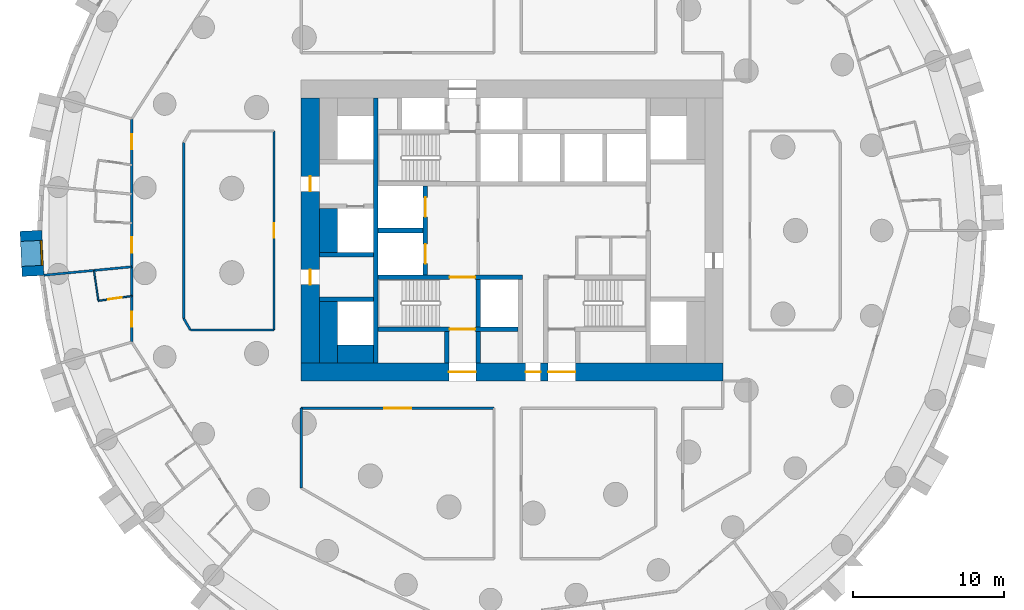
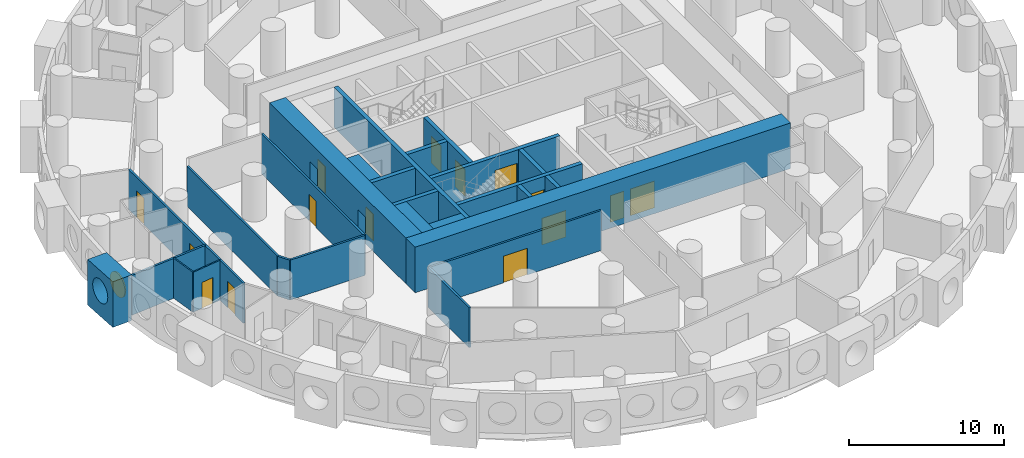
# One storey, part 4 of 12: 26 walls, 15 doors, 1 window, 16 openings.
"""IFC4 building model written with IfcOpenShell, lengths in metres."""

import ifcopenshell
import ifcopenshell.guid

model = None  # the IFC model being written
_history = None  # IfcOwnerHistory: only IFC2X3 demands one
_inside = {}  # id of a spatial element -> (the spatial element, [elements in it])
_under = {}  # id of a project, library or spatial element -> (it, [spatial elements below it])
_declared = {}  # id of a project -> (the project, [libraries it declares])
_typed = {}  # id of a type object -> (the type object, [elements of that type])
_made_of = {}  # id of a material, layer set ... -> (it, [elements and type objects made of it])


def new_model(schema):
    """Start an empty IFC model of exactly this schema.

    Asked for "IFC4X3", IfcOpenShell would pick the latest addendum, in which some entities
    have other attributes; the version numbers below select the first issue.
    IFC2X3 requires an IfcOwnerHistory on every rooted entity: one is made here for all.
    """
    global model, _history
    if schema == "IFC4X3":
        model = ifcopenshell.file(schema_version=(4, 3, 0, 0))
    else:
        model = ifcopenshell.file(schema=schema)
    _inside.clear()
    _under.clear()
    _declared.clear()
    _typed.clear()
    _made_of.clear()
    _history = None
    if model.schema == "IFC2X3":
        org = make("IfcOrganization", Name="unknown")
        user = make(
            "IfcPersonAndOrganization",
            ThePerson=make("IfcPerson", FamilyName="unknown"),
            TheOrganization=org,
        )
        app = make(
            "IfcApplication",
            ApplicationDeveloper=org,
            Version="unknown",
            ApplicationFullName="unknown",
            ApplicationIdentifier="unknown",
        )
        _history = make(
            "IfcOwnerHistory",
            OwningUser=user,
            OwningApplication=app,
            ChangeAction="ADDED",
            CreationDate=0,
        )
    return model


def make(cls, **values):
    """One entity of the class cls with the attributes given. An attribute that is None is left unset."""
    return model.create_entity(
        cls, **{name: value for name, value in values.items() if value is not None}
    )


def rooted(cls, **values):
    """An entity with a GlobalId (a new one), such as an element, a storey or a relation."""
    return make(cls, GlobalId=ifcopenshell.guid.new(), OwnerHistory=_history, **values)


def si_unit(unit_type, name, prefix=None):
    """IfcSIUnit, for example si_unit("LENGTHUNIT", "METRE", prefix="MILLI")."""
    return make("IfcSIUnit", UnitType=unit_type, Prefix=prefix, Name=name)


def assignment(units):
    """IfcUnitAssignment: the units of a project."""
    return None if units is None else make("IfcUnitAssignment", Units=units)


def point(xyz):
    """IfcCartesianPoint."""
    return None if xyz is None else make("IfcCartesianPoint", Coordinates=xyz)


def direction(xyz):
    """IfcDirection."""
    return None if xyz is None else make("IfcDirection", DirectionRatios=xyz)


def frame(location, z_axis=None, x_axis=None):
    """IfcAxis2Placement3D, a coordinate frame: its origin and axes. An axis left out is left unset."""
    return make(
        "IfcAxis2Placement3D",
        Location=point(location),
        Axis=direction(z_axis),
        RefDirection=direction(x_axis),
    )


def frame_2d(location, x_axis=None):
    """IfcAxis2Placement2D, a coordinate frame in the plane: its origin and x axis."""
    return make(
        "IfcAxis2Placement2D", Location=point(location), RefDirection=direction(x_axis)
    )


def origin():
    """The frame at (0, 0, 0) with its axes left unset."""
    return frame((0.0, 0.0, 0.0))


def origin_2d():
    """The frame at (0, 0) in the plane with its x axis left unset."""
    return frame_2d((0.0, 0.0))


def place(relative_to, where):
    """IfcLocalPlacement: puts the frame where relative to a parent placement (None: the world)."""
    return make(
        "IfcLocalPlacement", PlacementRelTo=relative_to, RelativePlacement=where
    )


def context(
    kind, dimensions, precision=None, world=None, true_north=None, identifier=None
):
    """IfcGeometricRepresentationContext, for example the 3D "Model" context."""
    return make(
        "IfcGeometricRepresentationContext",
        ContextIdentifier=identifier,
        ContextType=kind,
        CoordinateSpaceDimension=dimensions,
        Precision=precision,
        WorldCoordinateSystem=world,
        TrueNorth=true_north,
    )


def subcontext(parent, identifier, kind, view, scale=None):
    """IfcGeometricRepresentationSubContext, for example "Body" below "Model"."""
    return make(
        "IfcGeometricRepresentationSubContext",
        ContextIdentifier=identifier,
        ContextType=kind,
        ParentContext=parent,
        TargetScale=scale,
        TargetView=view,
    )


def project(units=None, contexts=None):
    """IfcProject with its units and contexts."""
    return rooted(
        "IfcProject",
        Name="project",
        RepresentationContexts=contexts,
        UnitsInContext=assignment(units),
    )


def spatial(cls, under=None, at=None, **own):
    """A site, building, storey or space (cls), placed at a placement, below another one or the project."""
    s = rooted(cls, ObjectPlacement=at, **own)
    if under is not None:
        _under.setdefault(under.id(), (under, []))[1].append(s)
    return s


def profile(cls, at=None, kind="AREA", **sizes):
    """A parametric profile (cls). Its sizes go by their IFC names, for example OverallWidth=200.0."""
    return make(cls, ProfileType=kind, Position=at, **sizes)


def rectangle(**sizes):
    """IfcRectangleProfileDef."""
    return profile("IfcRectangleProfileDef", **sizes)


def circle(**sizes):
    """IfcCircleProfileDef."""
    return profile("IfcCircleProfileDef", **sizes)


def extrude(swept, where, along, depth):
    """IfcExtrudedAreaSolid: the profile swept, set in the frame where, extruded along a direction by depth."""
    return make(
        "IfcExtrudedAreaSolid",
        SweptArea=swept,
        Position=where,
        ExtrudedDirection=direction(along),
        Depth=depth,
    )


def shape(context_of_items, identifier, shape_type, items):
    """IfcShapeRepresentation: the items that make up one representation, for example the "Body"."""
    return make(
        "IfcShapeRepresentation",
        ContextOfItems=context_of_items,
        RepresentationIdentifier=identifier,
        RepresentationType=shape_type,
        Items=items,
    )


def material(Name=None, Category=None):
    """IfcMaterial."""
    return make("IfcMaterial", Name=Name, Category=Category)


def layer(
    of_material, thickness, ventilated=None, Name=None, Category=None, Priority=None
):
    """IfcMaterialLayer: one layer of a wall or slab, of a material (None: an air gap)."""
    return make(
        "IfcMaterialLayer",
        Material=of_material,
        LayerThickness=thickness,
        IsVentilated=ventilated,
        Name=Name,
        Category=Category,
        Priority=Priority,
    )


def layer_set(layers, Name=None):
    """IfcMaterialLayerSet."""
    return make("IfcMaterialLayerSet", MaterialLayers=layers, LayerSetName=Name)


def made_of(thing, what):
    """Note that an element or type object is made of a material, layer set ...; save() writes the relation."""
    if what is not None:
        _made_of.setdefault(what.id(), (what, []))[1].append(thing)
    return thing


def type_object(cls, material=None, **own):
    """A type object (cls), such as IfcWallType, which elements share."""
    return made_of(rooted(cls, **own), material)


def element(
    cls,
    number,
    at=None,
    inside=None,
    cuts=None,
    type_object=None,
    material=None,
    context=None,
    identifier="Body",
    shape_type=None,
    held_by="IfcProductDefinitionShape",
    body=None,
    shapes=None,
    **own,
):
    """One element of the class cls, such as IfcWall. Its Tag is "e" and its number.

    at: its placement. inside: the storey or other place that contains it. cuts: it is an
    opening in that element (IfcRelVoidsElement). A single representation is given by context,
    identifier, shape_type and body (its items); several are given by shapes. held_by: the class
    of the entity that holds the representations. save() writes the other relations.
    """
    e = rooted(cls, Tag="e%d" % number, ObjectPlacement=at, **own)
    if body is not None:
        shapes = [shape(context, identifier, shape_type, body)]
    if shapes is not None:
        e.Representation = make(held_by, Representations=shapes)
    if inside is not None:
        _inside.setdefault(inside.id(), (inside, []))[1].append(e)
    if cuts is not None:
        rooted(
            "IfcRelVoidsElement", RelatingBuildingElement=cuts, RelatedOpeningElement=e
        )
    if type_object is not None:
        _typed.setdefault(type_object.id(), (type_object, []))[1].append(e)
    return made_of(e, material)


def fill(opening, filler):
    """IfcRelFillsElement: the door or window that sits in an opening."""
    return rooted(
        "IfcRelFillsElement",
        RelatingOpeningElement=opening,
        RelatedBuildingElement=filler,
    )


def aggregate(whole, parts):
    """IfcRelAggregates: a whole, such as a stair, and the parts it consists of."""
    return rooted("IfcRelAggregates", RelatingObject=whole, RelatedObjects=parts)


def save(model, path):
    """Write the relations noted so far, then the file.

    IfcRelAggregates (storeys below a building ...), IfcRelContainedInSpatialStructure (elements
    in a storey), IfcRelDefinesByType, IfcRelAssociatesMaterial and IfcRelDeclares: one each for
    every whole, place, type object, material and project.
    """
    for whole, parts in _under.values():
        aggregate(whole, parts)
    for where, things in _inside.values():
        rooted(
            "IfcRelContainedInSpatialStructure",
            RelatedElements=things,
            RelatingStructure=where,
        )
    for kind, things in _typed.values():
        rooted("IfcRelDefinesByType", RelatedObjects=things, RelatingType=kind)
    for what, things in _made_of.values():
        rooted("IfcRelAssociatesMaterial", RelatedObjects=things, RelatingMaterial=what)
    for by, libraries in _declared.values():
        rooted("IfcRelDeclares", RelatingContext=by, RelatedDefinitions=libraries)
    model.write(path)


model = new_model("IFC4")

# Units and contexts
model_context = context("Model", 3, precision=1e-05, world=origin(), true_north=direction((0.0, 1.0)))
body_context = subcontext(model_context, "Body", "Model", "MODEL_VIEW")
ifc_project = project(units=[si_unit("LENGTHUNIT", "METRE"), si_unit("AREAUNIT", "SQUARE_METRE"), si_unit("VOLUMEUNIT", "CUBIC_METRE"), si_unit("PLANEANGLEUNIT", "RADIAN"), si_unit("MASSUNIT", "GRAM", prefix="KILO")], contexts=[model_context])

# Site, building, storey
site_placement = place(None, origin())
site = spatial("IfcSite", under=ifc_project, at=site_placement, CompositionType="ELEMENT")
building_placement = place(site_placement, origin())
building = spatial("IfcBuilding", under=site, at=building_placement, Name="Tracery Tower", CompositionType="ELEMENT")
storey_placement = place(building_placement, frame((0.0, 0.0, 35.39990234375)))
storey = spatial("IfcBuildingStorey", under=building, at=storey_placement, Name="L07", CompositionType="ELEMENT", Elevation=35.39990234375)

# Walls
ifc_material_1 = material(Name="Concrete C60/75", Category="concrete")
ifc_layer_1 = layer(ifc_material_1, 1.199951171875)
ifc_layer_set_1 = layer_set([ifc_layer_1], Name="Core strip wall 1200 C60")
wall_type_1 = type_object("IfcWallType", Name="Core strip wall 1200 C60", PredefinedType="SOLIDWALL", material=ifc_layer_set_1)
wall_1_placement = place(storey_placement, frame((-12.199951171875, -8.800048828125, 0.0), z_axis=(0.0, 0.0, 1.0), x_axis=(0.0, 1.0, 0.0)))
element("IfcWall", 1, at=wall_1_placement, inside=storey, type_object=wall_type_1, Name="L07 wing strip -1 -9.4", PredefinedType="SOLIDWALL", context=body_context, shape_type="SweptSolid", body=[
    extrude(rectangle(XDim=4.10009765625, YDim=1.199951171875, at=frame_2d((2.050048828125, 0.0))), origin(), (0.0, 0.0, 1.0), 3.150146484375),
])
wall_2_placement = place(storey_placement, frame((-12.199951171875, -1.449951171875, 0.0), z_axis=(0.0, 0.0, 1.0), x_axis=(0.0, 1.0, 0.0)))
element("IfcWall", 2, at=wall_2_placement, inside=storey, type_object=wall_type_1, Name="L07 wing strip -1 -1.6", PredefinedType="SOLIDWALL", context=body_context, shape_type="SweptSolid", body=[
    extrude(rectangle(XDim=2.89990234375, YDim=1.199951171875, at=frame_2d((1.449951171875, 0.0))), origin(), (0.0, 0.0, 1.0), 3.150146484375),
])
wall_3_placement = place(storey_placement, frame((-11.60009765625, -8.199951171875, 0.0), z_axis=(0.0, 0.0, 1.0), x_axis=(1.0, 0.0, 0.0)))
element("IfcWall", 3, at=wall_3_placement, inside=storey, type_object=wall_type_1, Name="L07 wing corner -1 -8.2", PredefinedType="SOLIDWALL", context=body_context, shape_type="SweptSolid", body=[
    extrude(rectangle(XDim=2.400146484375, YDim=1.199951171875, at=frame_2d((1.2001953125, 0.0))), origin(), (0.0, 0.0, 1.0), 3.150146484375),
])

# Wall, openings, doors
ifc_material_2 = material(Name="Concrete C60/75", Category="concrete")
ifc_layer_2 = layer(ifc_material_2, 1.199951171875)
ifc_layer_set_2 = layer_set([ifc_layer_2], Name="Core wall 1200 C60")
wall_type_2 = type_object("IfcWallType", Name="Core wall 1200 C60", PredefinedType="SOLIDWALL", material=ifc_layer_set_2)
wall_4_placement = place(storey_placement, frame((-14.0, -9.39990234375, 0.0), z_axis=(0.0, 0.0, 1.0), x_axis=(1.0, 0.0, 0.0)))
wall_4 = element("IfcWall", 4, at=wall_4_placement, inside=storey, type_object=wall_type_2, Name="L07 outer S", PredefinedType="SOLIDWALL", context=body_context, shape_type="SweptSolid", body=[
    extrude(rectangle(XDim=28.0, YDim=1.199951171875, at=frame_2d((14.0, 0.0))), origin(), (0.0, 0.0, 1.0), 3.60009765625),
])
opening_1_placement = place(wall_4_placement, frame((14.89990234375, 0.0, 0.0)))
opening_1 = element("IfcOpeningElement", 5, at=opening_1_placement, cuts=wall_4, Name="Opening KD16", PredefinedType="OPENING", context=body_context, shape_type="SweptSolid", body=[
    extrude(rectangle(XDim=1.0, YDim=2.10009765625, at=frame_2d((0.5, 1.050048828125))), frame((0.0, 0.60009765625, 0.0), z_axis=(0.0, -1.0, 0.0), x_axis=(1.0, 0.0, 0.0)), (0.0, 0.0, 1.0), 1.199951171875),
])
opening_2_placement = place(wall_4_placement, frame((9.800048828125, 0.0, 0.0)))
opening_2 = element("IfcOpeningElement", 6, at=opening_2_placement, cuts=wall_4, Name="Opening KD13", PredefinedType="OPENING", context=body_context, shape_type="SweptSolid", body=[
    extrude(rectangle(XDim=1.800048828125, YDim=2.10009765625, at=frame_2d((0.89990234375, 1.050048828125))), frame((0.0, 0.60009765625, 0.0), z_axis=(0.0, -1.0, 0.0), x_axis=(1.0, 0.0, 0.0)), (0.0, 0.0, 1.0), 1.199951171875),
])
opening_3_placement = place(wall_4_placement, frame((16.39990234375, 0.0, 0.0)))
opening_3 = element("IfcOpeningElement", 7, at=opening_3_placement, cuts=wall_4, Name="Opening KD13", PredefinedType="OPENING", context=body_context, shape_type="SweptSolid", body=[
    extrude(rectangle(XDim=1.800048828125, YDim=2.10009765625, at=frame_2d((0.89990234375, 1.050048828125))), frame((0.0, 0.60009765625, 0.0), z_axis=(0.0, -1.0, 0.0), x_axis=(1.0, 0.0, 0.0)), (0.0, 0.0, 1.0), 1.199951171875),
])
ifc_material_3 = material(Name="Steel fire door", Category="steel")
door_type_1 = type_object("IfcDoorType", Name="Core exit door 1000", OperationType="NOTDEFINED", PredefinedType="DOOR", material=ifc_material_3)
door_1_placement = place(opening_1_placement, origin())
door_1 = element("IfcDoor", 8, at=door_1_placement, inside=storey, type_object=door_type_1, Name="Core exit door", OperationType="SINGLE_SWING_LEFT", OverallHeight=2.10009765625, OverallWidth=1.0, PredefinedType="DOOR", context=body_context, shape_type="SweptSolid", body=[
    extrude(rectangle(XDim=1.0, YDim=2.10009765625, at=frame_2d((0.5, 1.050048828125))), frame((0.0, 0.02490234375, 0.0), z_axis=(0.0, -1.0, 0.0), x_axis=(1.0, 0.0, 0.0)), (0.0, 0.0, 1.0), 0.050048828125),
])
fill(opening_1, door_1)
ifc_material_4 = material(Name="Steel fire door", Category="steel")
door_type_2 = type_object("IfcDoorType", Name="Core exit door 1800 double", OperationType="NOTDEFINED", PredefinedType="DOOR", material=ifc_material_4)
door_2_placement = place(opening_2_placement, origin())
door_2 = element("IfcDoor", 9, at=door_2_placement, inside=storey, type_object=door_type_2, Name="Core exit door", OperationType="DOUBLE_DOOR_SINGLE_SWING", OverallHeight=2.10009765625, OverallWidth=1.800048828125, PredefinedType="DOOR", context=body_context, shape_type="SweptSolid", body=[
    extrude(rectangle(XDim=1.800048828125, YDim=2.10009765625, at=frame_2d((0.89990234375, 1.050048828125))), frame((0.0, 0.02490234375, 0.0), z_axis=(0.0, -1.0, 0.0), x_axis=(1.0, 0.0, 0.0)), (0.0, 0.0, 1.0), 0.050048828125),
])
fill(opening_2, door_2)
door_3_placement = place(opening_3_placement, origin())
door_3 = element("IfcDoor", 10, at=door_3_placement, inside=storey, type_object=door_type_2, Name="Core exit door", OperationType="DOUBLE_DOOR_SINGLE_SWING", OverallHeight=2.10009765625, OverallWidth=1.800048828125, PredefinedType="DOOR", context=body_context, shape_type="SweptSolid", body=[
    extrude(rectangle(XDim=1.800048828125, YDim=2.10009765625, at=frame_2d((0.89990234375, 1.050048828125))), frame((0.0, 0.02490234375, 0.0), z_axis=(0.0, -1.0, 0.0), x_axis=(1.0, 0.0, 0.0)), (0.0, 0.0, 1.0), 0.050048828125),
])
fill(opening_3, door_3)

wall_5_placement = place(storey_placement, frame((-13.39990234375, -8.800048828125, 0.0), z_axis=(0.0, 0.0, 1.0), x_axis=(0.0, 1.0, 0.0)))
wall_5 = element("IfcWall", 11, at=wall_5_placement, inside=storey, type_object=wall_type_2, Name="L07 outer W", PredefinedType="SOLIDWALL", context=body_context, shape_type="SweptSolid", body=[
    extrude(rectangle(XDim=17.60009765625, YDim=1.199951171875, at=frame_2d((8.800048828125, 0.0))), origin(), (0.0, 0.0, 1.0), 3.60009765625),
])
opening_4_placement = place(wall_5_placement, frame((5.199951171875, 0.0, 0.0)))
opening_4 = element("IfcOpeningElement", 12, at=opening_4_placement, cuts=wall_5, Name="Opening KD18", PredefinedType="OPENING", context=body_context, shape_type="SweptSolid", body=[
    extrude(rectangle(XDim=1.0, YDim=2.10009765625, at=frame_2d((0.5, 1.050048828125))), frame((0.0, 0.60009765625, 0.0), z_axis=(0.0, -1.0, 0.0), x_axis=(1.0, 0.0, 0.0)), (0.0, 0.0, 1.0), 1.199951171875),
])
opening_5_placement = place(wall_5_placement, frame((11.39990234375, 0.0, 0.0)))
opening_5 = element("IfcOpeningElement", 13, at=opening_5_placement, cuts=wall_5, Name="Opening KD18", PredefinedType="OPENING", context=body_context, shape_type="SweptSolid", body=[
    extrude(rectangle(XDim=1.0, YDim=2.10009765625, at=frame_2d((0.5, 1.050048828125))), frame((0.0, 0.60009765625, 0.0), z_axis=(0.0, -1.0, 0.0), x_axis=(1.0, 0.0, 0.0)), (0.0, 0.0, 1.0), 1.199951171875),
])
door_4_placement = place(opening_4_placement, origin())
door_4 = element("IfcDoor", 14, at=door_4_placement, inside=storey, type_object=door_type_1, Name="Core exit door", OperationType="DOUBLE_DOOR_SINGLE_SWING", OverallHeight=2.10009765625, OverallWidth=1.0, PredefinedType="DOOR", context=body_context, shape_type="SweptSolid", body=[
    extrude(rectangle(XDim=1.0, YDim=2.10009765625, at=frame_2d((0.5, 1.050048828125))), frame((0.0, 0.02490234375, 0.0), z_axis=(0.0, -1.0, 0.0), x_axis=(1.0, 0.0, 0.0)), (0.0, 0.0, 1.0), 0.050048828125),
])
fill(opening_4, door_4)
door_5_placement = place(opening_5_placement, origin())
door_5 = element("IfcDoor", 15, at=door_5_placement, inside=storey, type_object=door_type_1, Name="Core exit door", OperationType="DOUBLE_DOOR_SINGLE_SWING", OverallHeight=2.10009765625, OverallWidth=1.0, PredefinedType="DOOR", context=body_context, shape_type="SweptSolid", body=[
    extrude(rectangle(XDim=1.0, YDim=2.10009765625, at=frame_2d((0.5, 1.050048828125))), frame((0.0, 0.02490234375, 0.0), z_axis=(0.0, -1.0, 0.0), x_axis=(1.0, 0.0, 0.0)), (0.0, 0.0, 1.0), 0.050048828125),
])
fill(opening_5, door_5)

# Wall, opening, window
ifc_material_5 = material(Name="Precast concrete C50/60", Category="concrete")
ifc_layer_3 = layer(ifc_material_5, 1.449951171875)
ifc_layer_set_3 = layer_set([ifc_layer_3], Name="Deep-set bay unit 3000 x 3600, slab edge 450")
wall_type_3 = type_object("IfcWallType", Name="Deep-set bay unit 3000 x 3600, slab edge 450", PredefinedType="ELEMENTEDWALL", material=ifc_layer_set_3)
wall_6_placement = place(storey_placement, frame((-31.94921875, -0.020263671875, -0.449951171875), z_axis=(0.0, 0.0, 1.0), x_axis=(0.047607680889, -0.998866111509, 0.0)))
wall_6 = element("IfcWall", 16, at=wall_6_placement, inside=storey, type_object=wall_type_3, Name="Deep-set bay unit 34 at L07", PredefinedType="ELEMENTEDWALL", context=body_context, shape_type="SweptSolid", body=[
    extrude(rectangle(XDim=3.0, YDim=1.449951171875, at=frame_2d((1.5, 0.0))), origin(), (0.0, 0.0, 1.0), 3.60009765625),
])
opening_6_placement = place(wall_6_placement, frame((1.5, 0.0, 2.0)))
opening_6 = element("IfcOpeningElement", 17, at=opening_6_placement, cuts=wall_6, Name="Opening WN1", PredefinedType="OPENING", context=body_context, shape_type="SweptSolid", body=[
    extrude(circle(Radius=0.9000244140625, at=origin_2d()), frame((0.0, 0.73486328125, 0.0), z_axis=(0.0, -1.0, 0.0), x_axis=(1.0, 0.0, 0.0)), (0.0, 0.0, 1.0), 1.469970703125),
])
ifc_material_6 = material(Name="Aluminium frame with tinted double glazing", Category="aluminium")
window_type = type_object("IfcWindowType", Name="Round window 1800", PartitioningType="SINGLE_PANEL", PredefinedType="WINDOW", material=ifc_material_6)
window_placement = place(opening_6_placement, origin())
window = element("IfcWindow", 18, at=window_placement, inside=storey, type_object=window_type, Name="Round window 34 at L07", OverallHeight=1.800048828125, OverallWidth=1.800048828125, PartitioningType="SINGLE_PANEL", PredefinedType="WINDOW", context=body_context, shape_type="SweptSolid", body=[
    extrude(circle(Radius=0.9000244140625, at=origin_2d()), frame((0.0, 0.69482421875, 0.0), z_axis=(0.0, -1.0, 0.0), x_axis=(1.0, 0.0, 0.0)), (0.0, 0.0, 1.0), 0.10009765625),
])
fill(opening_6, window)

# Wall
ifc_material_7 = material(Name="Plasterboard on steel studs", Category="steel")
ifc_layer_4 = layer(ifc_material_7, 0.10009765625)
ifc_layer_set_4 = layer_set([ifc_layer_4], Name="Partition 100 wet wall")
wall_type_4 = type_object("IfcWallType", Name="Partition 100 wet wall", PredefinedType="PARTITIONING", material=ifc_layer_set_4)
wall_7_placement = place(storey_placement, frame((-27.761962890625, -2.65087890625, 0.0), z_axis=(0.0, 0.0, 1.0), x_axis=(0.142124766346, -0.989848751472, 0.0)))
element("IfcWall", 19, at=wall_7_placement, inside=storey, type_object=wall_type_4, Name="Wet wall RA1-100", PredefinedType="PARTITIONING", context=body_context, shape_type="SweptSolid", body=[
    extrude(rectangle(XDim=2.040771484375, YDim=0.10009765625, at=frame_2d((1.0205078125, 0.0))), origin(), (0.0, 0.0, 1.0), 3.150146484375),
])

# Wall, opening, door
wall_8_placement = place(storey_placement, frame((-27.471923828125, -4.6708984375, 0.0), z_axis=(0.0, 0.0, 1.0), x_axis=(0.989833725002, 0.142229381104, 0.0)))
wall_8 = element("IfcWall", 20, at=wall_8_placement, inside=storey, type_object=wall_type_4, Name="Wet wall RA1-101", PredefinedType="PARTITIONING", context=body_context, shape_type="SweptSolid", body=[
    extrude(rectangle(XDim=2.24169921875, YDim=0.10009765625, at=frame_2d((1.120849609375, 0.0))), origin(), (0.0, 0.0, 1.0), 3.150146484375),
])
opening_7_placement = place(wall_8_placement, frame((0.6708984375, 0.0, 0.0)))
opening_7 = element("IfcOpeningElement", 21, at=opening_7_placement, cuts=wall_8, Name="Opening RA1-37", PredefinedType="OPENING", context=body_context, shape_type="SweptSolid", body=[
    extrude(rectangle(XDim=0.89990234375, YDim=2.0400390625, at=frame_2d((0.449951171875, 1.02001953125))), frame((0.0, 0.050048828125, 0.0), z_axis=(0.0, -1.0, 0.0), x_axis=(1.0, 0.0, 0.0)), (0.0, 0.0, 1.0), 0.10009765625),
])
ifc_material_8 = material(Name="Timber door leaf", Category="wood")
door_type_3 = type_object("IfcDoorType", Name="Door en-suite 900", OperationType="NOTDEFINED", PredefinedType="DOOR", material=ifc_material_8)
door_6_placement = place(opening_7_placement, origin())
door_6 = element("IfcDoor", 22, at=door_6_placement, inside=storey, type_object=door_type_3, Name="En-suite door RA1-37", OperationType="SINGLE_SWING_RIGHT", OverallHeight=2.0400390625, OverallWidth=0.89990234375, PredefinedType="DOOR", context=body_context, shape_type="SweptSolid", body=[
    extrude(rectangle(XDim=0.89990234375, YDim=2.0400390625, at=frame_2d((0.449951171875, 1.02001953125))), frame((0.0, 0.02490234375, 0.0), z_axis=(0.0, -1.0, 0.0), x_axis=(1.0, 0.0, 0.0)), (0.0, 0.0, 1.0), 0.050048828125),
])
fill(opening_7, door_6)

# Wall
ifc_material_9 = material(Name="Plasterboard on steel studs", Category="steel")
ifc_layer_5 = layer(ifc_material_9, 0.14990234375)
ifc_layer_set_5 = layer_set([ifc_layer_5], Name="Partition 150 acoustic unit wall")
wall_type_5 = type_object("IfcWallType", Name="Partition 150 acoustic unit wall", PredefinedType="PARTITIONING", material=ifc_layer_set_5)
wall_9_placement = place(storey_placement, frame((-31.0830078125, -2.968017578125, 0.0), z_axis=(0.0, 0.0, 1.0), x_axis=(0.995456793999, 0.095214343879, 0.0)))
element("IfcWall", 23, at=wall_9_placement, inside=storey, type_object=wall_type_5, Name="Unit wall RA1-099", PredefinedType="PARTITIONING", context=body_context, shape_type="SweptSolid", body=[
    extrude(rectangle(XDim=5.8564453125, YDim=0.14990234375, at=frame_2d((2.92822265625, 0.0))), origin(), (0.0, 0.0, 1.0), 3.150146484375),
])

# Wall, opening, door
ifc_material_10 = material(Name="Plasterboard on steel studs", Category="steel")
ifc_layer_6 = layer(ifc_material_10, 0.14990234375)
ifc_layer_set_6 = layer_set([ifc_layer_6], Name="Partition 150 corridor wall")
wall_type_6 = type_object("IfcWallType", Name="Partition 150 corridor wall", PredefinedType="PARTITIONING", material=ifc_layer_set_6)
wall_10_placement = place(storey_placement, frame((-14.00390625, -11.800048828125, 0.0), z_axis=(0.0, 0.0, 1.0), x_axis=(1.0, 0.0, 0.0)))
wall_10 = element("IfcWall", 24, at=wall_10_placement, inside=storey, type_object=wall_type_6, Name="Corridor wall RA1-005", PredefinedType="PARTITIONING", context=body_context, shape_type="SweptSolid", body=[
    extrude(rectangle(XDim=12.81591796875, YDim=0.14990234375, at=frame_2d((6.407958984375, 0.0))), origin(), (0.0, 0.0, 1.0), 3.150146484375),
])
opening_8_placement = place(wall_10_placement, frame((5.508056640625, 0.0, 0.0)))
opening_8 = element("IfcOpeningElement", 25, at=opening_8_placement, cuts=wall_10, Name="Opening RA1-04", PredefinedType="OPENING", context=body_context, shape_type="SweptSolid", body=[
    extrude(rectangle(XDim=1.800048828125, YDim=2.10009765625, at=frame_2d((0.89990234375, 1.050048828125))), frame((0.0, 0.074951171875, 0.0), z_axis=(0.0, -1.0, 0.0), x_axis=(1.0, 0.0, 0.0)), (0.0, 0.0, 1.0), 0.14990234375),
])
ifc_material_11 = material(Name="Timber door leaf", Category="wood")
door_type_4 = type_object("IfcDoorType", Name="Door double lounge 1800", OperationType="NOTDEFINED", PredefinedType="DOOR", material=ifc_material_11)
door_7_placement = place(opening_8_placement, origin())
door_7 = element("IfcDoor", 26, at=door_7_placement, inside=storey, type_object=door_type_4, Name="Double lounge door RA1-04", OperationType="DOUBLE_DOOR_SINGLE_SWING", OverallHeight=2.10009765625, OverallWidth=1.800048828125, PredefinedType="DOOR", context=body_context, shape_type="SweptSolid", body=[
    extrude(rectangle(XDim=1.800048828125, YDim=2.10009765625, at=frame_2d((0.89990234375, 1.050048828125))), frame((0.0, 0.02490234375, 0.0), z_axis=(0.0, -1.0, 0.0), x_axis=(1.0, 0.0, 0.0)), (0.0, 0.0, 1.0), 0.050048828125),
])
fill(opening_8, door_7)

wall_11_placement = place(storey_placement, frame((-15.800048828125, -6.60400390625, 0.0), z_axis=(0.0, 0.0, 1.0), x_axis=(0.0, 1.0, 0.0)))
wall_11 = element("IfcWall", 27, at=wall_11_placement, inside=storey, type_object=wall_type_6, Name="Corridor wall RA1-012", PredefinedType="PARTITIONING", context=body_context, shape_type="SweptSolid", body=[
    extrude(rectangle(XDim=13.2080078125, YDim=0.14990234375, at=frame_2d((6.60400390625, 0.0))), origin(), (0.0, 0.0, 1.0), 3.150146484375),
])
opening_9_placement = place(wall_11_placement, frame((6.12890625, 0.0, 0.0)))
opening_9 = element("IfcOpeningElement", 28, at=opening_9_placement, cuts=wall_11, Name="Opening RA1-08", PredefinedType="OPENING", context=body_context, shape_type="SweptSolid", body=[
    extrude(rectangle(XDim=0.949951171875, YDim=2.10009765625, at=frame_2d((0.47509765625, 1.050048828125))), frame((0.0, 0.074951171875, 0.0), z_axis=(0.0, -1.0, 0.0), x_axis=(1.0, 0.0, 0.0)), (0.0, 0.0, 1.0), 0.14990234375),
])
ifc_material_12 = material(Name="Timber door leaf", Category="wood")
door_type_5 = type_object("IfcDoorType", Name="Door store 950", OperationType="NOTDEFINED", PredefinedType="DOOR", material=ifc_material_12)
door_8_placement = place(opening_9_placement, origin())
door_8 = element("IfcDoor", 29, at=door_8_placement, inside=storey, type_object=door_type_5, Name="Store door RA1-08", OperationType="SINGLE_SWING_LEFT", OverallHeight=2.10009765625, OverallWidth=0.949951171875, PredefinedType="DOOR", context=body_context, shape_type="SweptSolid", body=[
    extrude(rectangle(XDim=0.949951171875, YDim=2.10009765625, at=frame_2d((0.47509765625, 1.050048828125))), frame((0.0, 0.02490234375, 0.0), z_axis=(0.0, -1.0, 0.0), x_axis=(1.0, 0.0, 0.0)), (0.0, 0.0, 1.0), 0.050048828125),
])
fill(opening_9, door_8)

# Walls
wall_12_placement = place(storey_placement, frame((-14.0, -17.092041015625, 0.0), z_axis=(0.0, 0.0, 1.0), x_axis=(0.0, 1.0, 0.0)))
element("IfcWall", 30, at=wall_12_placement, inside=storey, type_object=wall_type_6, Name="Corridor wall RA1-037", PredefinedType="PARTITIONING", context=body_context, shape_type="SweptSolid", body=[
    extrude(rectangle(XDim=5.2919921875, YDim=0.14990234375, at=frame_2d((2.64599609375, 0.0))), origin(), (0.0, 0.0, 1.0), 3.150146484375),
])
wall_13_placement = place(storey_placement, frame((-21.802001953125, -5.842041015625, 0.0), z_axis=(0.0, 0.0, 1.0), x_axis=(0.0, 1.0, 0.0)))
element("IfcWall", 31, at=wall_13_placement, inside=storey, type_object=wall_type_6, Name="Corridor wall RA1-040", PredefinedType="PARTITIONING", context=body_context, shape_type="SweptSolid", body=[
    extrude(rectangle(XDim=11.68408203125, YDim=0.14990234375, at=frame_2d((5.842041015625, 0.0))), origin(), (0.0, 0.0, 1.0), 3.150146484375),
])
wall_14_placement = place(storey_placement, frame((-21.802001953125, -5.842041015625, 0.0), z_axis=(0.0, 0.0, 1.0), x_axis=(0.500277597875, -0.865865073245, 0.0)))
element("IfcWall", 32, at=wall_14_placement, inside=storey, type_object=wall_type_6, Name="Corridor wall RA1-041", PredefinedType="PARTITIONING", context=body_context, shape_type="SweptSolid", body=[
    extrude(rectangle(XDim=0.87548828125, YDim=0.14990234375, at=frame_2d((0.437744140625, 0.0))), origin(), (0.0, 0.0, 1.0), 3.150146484375),
])
wall_15_placement = place(storey_placement, frame((-21.364013671875, -6.60009765625, 0.0), z_axis=(0.0, 0.0, 1.0), x_axis=(1.0, 0.0, 0.0)))
element("IfcWall", 33, at=wall_15_placement, inside=storey, type_object=wall_type_6, Name="Corridor wall RA1-042", PredefinedType="PARTITIONING", context=body_context, shape_type="SweptSolid", body=[
    extrude(rectangle(XDim=5.56396484375, YDim=0.14990234375, at=frame_2d((2.781982421875, 0.0))), origin(), (0.0, 0.0, 1.0), 3.150146484375),
])

# Wall, openings, doors
wall_16_placement = place(storey_placement, frame((-25.2529296875, -7.4150390625, 0.0), z_axis=(0.0, 0.0, 1.0), x_axis=(0.0, 1.0, 0.0)))
wall_16 = element("IfcWall", 34, at=wall_16_placement, inside=storey, type_object=wall_type_6, Name="Corridor wall RA1-044", PredefinedType="PARTITIONING", context=body_context, shape_type="SweptSolid", body=[
    extrude(rectangle(XDim=14.830078125, YDim=0.14990234375, at=frame_2d((7.4150390625, 0.0))), origin(), (0.0, 0.0, 1.0), 3.150146484375),
])
opening_10_placement = place(wall_16_placement, frame((12.797119140625, 0.0, 0.0)))
opening_10 = element("IfcOpeningElement", 35, at=opening_10_placement, cuts=wall_16, Name="Opening RA1-34", PredefinedType="OPENING", context=body_context, shape_type="SweptSolid", body=[
    extrude(rectangle(XDim=1.0, YDim=2.10009765625, at=frame_2d((0.5, 1.050048828125))), frame((0.0, 0.074951171875, 0.0), z_axis=(0.0, -1.0, 0.0), x_axis=(1.0, 0.0, 0.0)), (0.0, 0.0, 1.0), 0.14990234375),
])
opening_11_placement = place(wall_16_placement, frame((5.9541015625, 0.0, 0.0)))
opening_11 = element("IfcOpeningElement", 36, at=opening_11_placement, cuts=wall_16, Name="Opening RA1-36", PredefinedType="OPENING", context=body_context, shape_type="SweptSolid", body=[
    extrude(rectangle(XDim=1.0, YDim=2.10009765625, at=frame_2d((0.5, 1.050048828125))), frame((0.0, 0.074951171875, 0.0), z_axis=(0.0, -1.0, 0.0), x_axis=(1.0, 0.0, 0.0)), (0.0, 0.0, 1.0), 0.14990234375),
])
opening_12_placement = place(wall_16_placement, frame((1.033935546875, 0.0, 0.0)))
opening_12 = element("IfcOpeningElement", 37, at=opening_12_placement, cuts=wall_16, Name="Opening RA1-38", PredefinedType="OPENING", context=body_context, shape_type="SweptSolid", body=[
    extrude(rectangle(XDim=1.0, YDim=2.10009765625, at=frame_2d((0.5, 1.050048828125))), frame((0.0, 0.074951171875, 0.0), z_axis=(0.0, -1.0, 0.0), x_axis=(1.0, 0.0, 0.0)), (0.0, 0.0, 1.0), 0.14990234375),
])
ifc_material_13 = material(Name="Timber door leaf", Category="wood")
door_type_6 = type_object("IfcDoorType", Name="Door unit entrance 1000", OperationType="NOTDEFINED", PredefinedType="DOOR", material=ifc_material_13)
door_9_placement = place(opening_10_placement, origin())
door_9 = element("IfcDoor", 38, at=door_9_placement, inside=storey, type_object=door_type_6, Name="Unit entrance door RA1-34", OperationType="SINGLE_SWING_RIGHT", OverallHeight=2.10009765625, OverallWidth=1.0, PredefinedType="DOOR", context=body_context, shape_type="SweptSolid", body=[
    extrude(rectangle(XDim=1.0, YDim=2.10009765625, at=frame_2d((0.5, 1.050048828125))), frame((0.0, 0.02490234375, 0.0), z_axis=(0.0, -1.0, 0.0), x_axis=(1.0, 0.0, 0.0)), (0.0, 0.0, 1.0), 0.050048828125),
])
fill(opening_10, door_9)
door_10_placement = place(opening_11_placement, origin())
door_10 = element("IfcDoor", 39, at=door_10_placement, inside=storey, type_object=door_type_6, Name="Unit entrance door RA1-36", OperationType="SINGLE_SWING_RIGHT", OverallHeight=2.10009765625, OverallWidth=1.0, PredefinedType="DOOR", context=body_context, shape_type="SweptSolid", body=[
    extrude(rectangle(XDim=1.0, YDim=2.10009765625, at=frame_2d((0.5, 1.050048828125))), frame((0.0, 0.02490234375, 0.0), z_axis=(0.0, -1.0, 0.0), x_axis=(1.0, 0.0, 0.0)), (0.0, 0.0, 1.0), 0.050048828125),
])
fill(opening_11, door_10)
door_11_placement = place(opening_12_placement, origin())
door_11 = element("IfcDoor", 40, at=door_11_placement, inside=storey, type_object=door_type_6, Name="Unit entrance door RA1-38", OperationType="SINGLE_SWING_RIGHT", OverallHeight=2.10009765625, OverallWidth=1.0, PredefinedType="DOOR", context=body_context, shape_type="SweptSolid", body=[
    extrude(rectangle(XDim=1.0, YDim=2.10009765625, at=frame_2d((0.5, 1.050048828125))), frame((0.0, 0.02490234375, 0.0), z_axis=(0.0, -1.0, 0.0), x_axis=(1.0, 0.0, 0.0)), (0.0, 0.0, 1.0), 0.050048828125),
])
fill(opening_12, door_11)

# Wall
ifc_material_14 = material(Name="Concrete C60/75", Category="concrete")
ifc_layer_7 = layer(ifc_material_14, 0.300048828125)
ifc_layer_set_7 = layer_set([ifc_layer_7], Name="Shaft wall 300 C60")
wall_type_7 = type_object("IfcWallType", Name="Shaft wall 300 C60", PredefinedType="SOLIDWALL", material=ifc_layer_set_7)
wall_17_placement = place(storey_placement, frame((-8.89990234375, 0.0, 0.0), z_axis=(0.0, 0.0, 1.0), x_axis=(1.0, 0.0, 0.0)))
element("IfcWall", 41, at=wall_17_placement, inside=storey, type_object=wall_type_7, Name="L07 FF split", PredefinedType="SOLIDWALL", context=body_context, shape_type="SweptSolid", body=[
    extrude(rectangle(XDim=3.0, YDim=0.300048828125, at=frame_2d((1.5, 0.0))), origin(), (0.0, 0.0, 1.0), 3.150146484375),
])

# Wall, openings, doors
wall_18_placement = place(storey_placement, frame((-5.75, -2.949951171875, 0.0), z_axis=(0.0, 0.0, 1.0), x_axis=(0.0, 1.0, 0.0)))
wall_18 = element("IfcWall", 42, at=wall_18_placement, inside=storey, type_object=wall_type_7, Name="L07 FF doors", PredefinedType="SOLIDWALL", context=body_context, shape_type="SweptSolid", body=[
    extrude(rectangle(XDim=5.89990234375, YDim=0.300048828125, at=frame_2d((2.949951171875, 0.0))), origin(), (0.0, 0.0, 1.0), 3.150146484375),
])
opening_13_placement = place(wall_18_placement, frame((0.75, 0.0, 0.0)))
opening_13 = element("IfcOpeningElement", 43, at=opening_13_placement, cuts=wall_18, Name="Opening KD54", PredefinedType="OPENING", context=body_context, shape_type="SweptSolid", body=[
    extrude(rectangle(XDim=1.300048828125, YDim=2.10009765625, at=frame_2d((0.64990234375, 1.050048828125))), frame((0.0, 0.14990234375, 0.0), z_axis=(0.0, -1.0, 0.0), x_axis=(1.0, 0.0, 0.0)), (0.0, 0.0, 1.0), 0.300048828125),
])
opening_14_placement = place(wall_18_placement, frame((3.85009765625, 0.0, 0.0)))
opening_14 = element("IfcOpeningElement", 44, at=opening_14_placement, cuts=wall_18, Name="Opening KD55", PredefinedType="OPENING", context=body_context, shape_type="SweptSolid", body=[
    extrude(rectangle(XDim=1.300048828125, YDim=2.10009765625, at=frame_2d((0.64990234375, 1.050048828125))), frame((0.0, 0.14990234375, 0.0), z_axis=(0.0, -1.0, 0.0), x_axis=(1.0, 0.0, 0.0)), (0.0, 0.0, 1.0), 0.300048828125),
])
ifc_material_15 = material(Name="Steel fire door", Category="steel")
door_type_7 = type_object("IfcDoorType", Name="Landing door FF 1300", OperationType="NOTDEFINED", PredefinedType="DOOR", material=ifc_material_15)
door_12_placement = place(opening_13_placement, origin())
door_12 = element("IfcDoor", 45, at=door_12_placement, inside=storey, type_object=door_type_7, Name="Landing door FF1", OperationType="SLIDING_TO_LEFT", OverallHeight=2.10009765625, OverallWidth=1.300048828125, PredefinedType="DOOR", context=body_context, shape_type="SweptSolid", body=[
    extrude(rectangle(XDim=1.300048828125, YDim=2.10009765625, at=frame_2d((0.64990234375, 1.050048828125))), frame((0.0, 0.02490234375, 0.0), z_axis=(0.0, -1.0, 0.0), x_axis=(1.0, 0.0, 0.0)), (0.0, 0.0, 1.0), 0.050048828125),
])
fill(opening_13, door_12)
door_13_placement = place(opening_14_placement, origin())
door_13 = element("IfcDoor", 46, at=door_13_placement, inside=storey, type_object=door_type_7, Name="Landing door FF2", OperationType="SLIDING_TO_RIGHT", OverallHeight=2.10009765625, OverallWidth=1.300048828125, PredefinedType="DOOR", context=body_context, shape_type="SweptSolid", body=[
    extrude(rectangle(XDim=1.300048828125, YDim=2.10009765625, at=frame_2d((0.64990234375, 1.050048828125))), frame((0.0, 0.02490234375, 0.0), z_axis=(0.0, -1.0, 0.0), x_axis=(1.0, 0.0, 0.0)), (0.0, 0.0, 1.0), 0.050048828125),
])
fill(opening_14, door_13)

# Walls
wall_19_placement = place(storey_placement, frame((-4.35009765625, -8.800048828125, 0.0), z_axis=(0.0, 0.0, 1.0), x_axis=(0.0, 1.0, 0.0)))
element("IfcWall", 47, at=wall_19_placement, inside=storey, type_object=wall_type_7, Name="L07 band S -4.35", PredefinedType="SOLIDWALL", context=body_context, shape_type="SweptSolid", body=[
    extrude(rectangle(XDim=2.10009765625, YDim=0.300048828125, at=frame_2d((1.050048828125, 0.0))), origin(), (0.0, 0.0, 1.0), 3.150146484375),
])
for number, where, z_axis, x_axis, name in (
    (48, (-12.800048828125, -4.550048828125, 0.0), (0.0, 0.0, 1.0), (1.0, 0.0, 0.0), "L07 wing shaft wall -1 -4.55"),
    (49, (-12.800048828125, -1.60009765625, 0.0), (0.0, 0.0, 1.0), (1.0, 0.0, 0.0), "L07 wing shaft wall -1 -1.60"),
):
    element("IfcWall", number, at=place(storey_placement, frame(where, z_axis=z_axis, x_axis=x_axis)), inside=storey, type_object=wall_type_7, Name=name, PredefinedType="SOLIDWALL", context=body_context, shape_type="SweptSolid", body=[
        extrude(rectangle(XDim=3.60009765625, YDim=0.300048828125, at=frame_2d((1.800048828125, 0.0))), origin(), (0.0, 0.0, 1.0), 3.150146484375),
    ])

# Wall, opening, door
ifc_material_16 = material(Name="Concrete C60/75", Category="concrete")
ifc_layer_8 = layer(ifc_material_16, 0.300048828125)
ifc_layer_set_8 = layer_set([ifc_layer_8], Name="Stair wall 300 C60")
wall_type_8 = type_object("IfcWallType", Name="Stair wall 300 C60", PredefinedType="SOLIDWALL", material=ifc_layer_set_8)
wall_20_placement = place(storey_placement, frame((-8.89990234375, -3.10009765625, 0.0), z_axis=(0.0, 0.0, 1.0), x_axis=(1.0, 0.0, 0.0)))
wall_20 = element("IfcWall", 50, at=wall_20_placement, inside=storey, type_object=wall_type_8, Name="L07 row S", PredefinedType="SOLIDWALL", context=body_context, shape_type="SweptSolid", body=[
    extrude(rectangle(XDim=9.599853515625, YDim=0.300048828125, at=frame_2d((4.7998046875, 0.0))), origin(), (0.0, 0.0, 1.0), 3.150146484375),
])
opening_15_placement = place(wall_20_placement, frame((4.75, 0.0, 0.0)))
opening_15 = element("IfcOpeningElement", 51, at=opening_15_placement, cuts=wall_20, Name="Opening KD3", PredefinedType="OPENING", context=body_context, shape_type="SweptSolid", body=[
    extrude(rectangle(XDim=1.699951171875, YDim=2.10009765625, at=frame_2d((0.85009765625, 1.050048828125))), frame((0.0, 0.14990234375, 0.0), z_axis=(0.0, -1.0, 0.0), x_axis=(1.0, 0.0, 0.0)), (0.0, 0.0, 1.0), 0.300048828125),
])
ifc_material_17 = material(Name="Steel fire door", Category="steel")
door_type_8 = type_object("IfcDoorType", Name="Core stair door 1700 double", OperationType="NOTDEFINED", PredefinedType="DOOR", material=ifc_material_17)
door_14_placement = place(opening_15_placement, origin())
door_14 = element("IfcDoor", 52, at=door_14_placement, inside=storey, type_object=door_type_8, Name="Stair door ST1", OperationType="DOUBLE_DOOR_SINGLE_SWING", OverallHeight=2.10009765625, OverallWidth=1.699951171875, PredefinedType="DOOR", context=body_context, shape_type="SweptSolid", body=[
    extrude(rectangle(XDim=1.699951171875, YDim=2.10009765625, at=frame_2d((0.85009765625, 1.050048828125))), frame((0.0, 0.02490234375, 0.0), z_axis=(0.0, -1.0, 0.0), x_axis=(1.0, 0.0, 0.0)), (0.0, 0.0, 1.0), 0.050048828125),
])
fill(opening_15, door_14)

# Walls
wall_21_placement = place(storey_placement, frame((-2.25, -6.39990234375, 0.0), z_axis=(0.0, 0.0, 1.0), x_axis=(0.0, 1.0, 0.0)))
element("IfcWall", 53, at=wall_21_placement, inside=storey, type_object=wall_type_8, Name="L07 ST1 E", PredefinedType="SOLIDWALL", context=body_context, shape_type="SweptSolid", body=[
    extrude(rectangle(XDim=3.14990234375, YDim=0.300048828125, at=frame_2d((1.574951171875, 0.0))), origin(), (0.0, 0.0, 1.0), 3.150146484375),
])
wall_22_placement = place(storey_placement, frame((-9.050048828125, -8.800048828125, 0.0), z_axis=(0.0, 0.0, 1.0), x_axis=(0.0, 1.0, 0.0)))
element("IfcWall", 54, at=wall_22_placement, inside=storey, type_object=wall_type_8, Name="L07 F wall -9", PredefinedType="SOLIDWALL", context=body_context, shape_type="SweptSolid", body=[
    extrude(rectangle(XDim=17.60009765625, YDim=0.300048828125, at=frame_2d((8.800048828125, 0.0))), origin(), (0.0, 0.0, 1.0), 3.150146484375),
])

# Wall, opening, door
wall_23_placement = place(storey_placement, frame((-8.89990234375, -6.550048828125, 0.0), z_axis=(0.0, 0.0, 1.0), x_axis=(1.0, 0.0, 0.0)))
wall_23 = element("IfcWall", 55, at=wall_23_placement, inside=storey, type_object=wall_type_8, Name="L07 F S W", PredefinedType="SOLIDWALL", context=body_context, shape_type="SweptSolid", body=[
    extrude(rectangle(XDim=9.2998046875, YDim=0.300048828125, at=frame_2d((4.64990234375, 0.0))), origin(), (0.0, 0.0, 1.0), 3.150146484375),
])
opening_16_placement = place(wall_23_placement, frame((4.75, 0.0, 0.0)))
opening_16 = element("IfcOpeningElement", 56, at=opening_16_placement, cuts=wall_23, Name="Opening KD3", PredefinedType="OPENING", context=body_context, shape_type="SweptSolid", body=[
    extrude(rectangle(XDim=1.699951171875, YDim=2.10009765625, at=frame_2d((0.85009765625, 1.050048828125))), frame((0.0, 0.14990234375, 0.0), z_axis=(0.0, -1.0, 0.0), x_axis=(1.0, 0.0, 0.0)), (0.0, 0.0, 1.0), 0.300048828125),
])
door_15_placement = place(opening_16_placement, origin())
door_15 = element("IfcDoor", 57, at=door_15_placement, inside=storey, type_object=door_type_8, Name="Stair door ST1 S", OperationType="DOUBLE_DOOR_SINGLE_SWING", OverallHeight=2.10009765625, OverallWidth=1.699951171875, PredefinedType="DOOR", context=body_context, shape_type="SweptSolid", body=[
    extrude(rectangle(XDim=1.699951171875, YDim=2.10009765625, at=frame_2d((0.85009765625, 1.050048828125))), frame((0.0, 0.02490234375, 0.0), z_axis=(0.0, -1.0, 0.0), x_axis=(1.0, 0.0, 0.0)), (0.0, 0.0, 1.0), 0.050048828125),
])
fill(opening_16, door_15)

# Wall
wall_24_placement = place(storey_placement, frame((-2.25, -8.800048828125, 0.0), z_axis=(0.0, 0.0, 1.0), x_axis=(0.0, 1.0, 0.0)))
element("IfcWall", 58, at=wall_24_placement, inside=storey, type_object=wall_type_8, Name="L07 ST1 E out", PredefinedType="SOLIDWALL", context=body_context, shape_type="SweptSolid", body=[
    extrude(rectangle(XDim=2.10009765625, YDim=0.300048828125, at=frame_2d((1.050048828125, 0.0))), origin(), (0.0, 0.0, 1.0), 3.150146484375),
])

save(model, "model.ifc")
